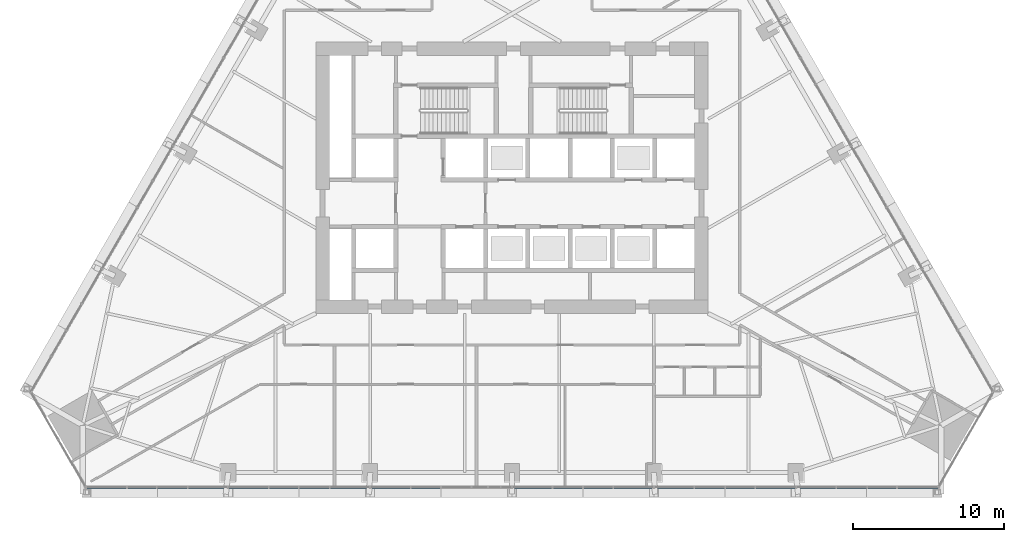
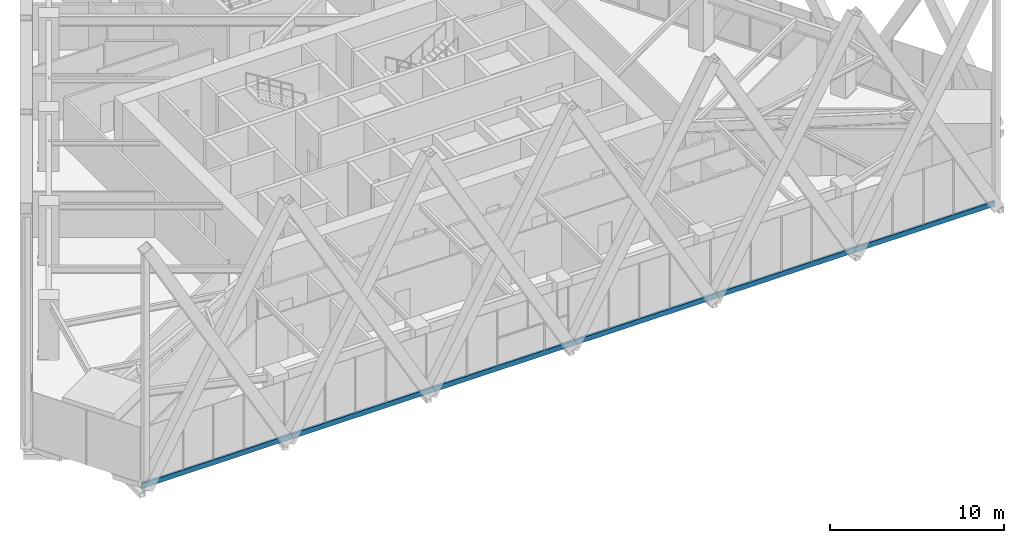
# One storey, part 6 of 21: 1 member, 1 element without a shape of its own.
"""IFC4 building model written with IfcOpenShell, lengths in metres."""

import ifcopenshell
import ifcopenshell.guid

model = None  # the IFC model being written
_history = None  # IfcOwnerHistory: only IFC2X3 demands one
_inside = {}  # id of a spatial element -> (the spatial element, [elements in it])
_under = {}  # id of a project, library or spatial element -> (it, [spatial elements below it])
_declared = {}  # id of a project -> (the project, [libraries it declares])
_typed = {}  # id of a type object -> (the type object, [elements of that type])
_made_of = {}  # id of a material, layer set ... -> (it, [elements and type objects made of it])


def new_model(schema):
    """Start an empty IFC model of exactly this schema.

    Asked for "IFC4X3", IfcOpenShell would pick the latest addendum, in which some entities
    have other attributes; the version numbers below select the first issue.
    IFC2X3 requires an IfcOwnerHistory on every rooted entity: one is made here for all.
    """
    global model, _history
    if schema == "IFC4X3":
        model = ifcopenshell.file(schema_version=(4, 3, 0, 0))
    else:
        model = ifcopenshell.file(schema=schema)
    _inside.clear()
    _under.clear()
    _declared.clear()
    _typed.clear()
    _made_of.clear()
    _history = None
    if model.schema == "IFC2X3":
        org = make("IfcOrganization", Name="unknown")
        user = make(
            "IfcPersonAndOrganization",
            ThePerson=make("IfcPerson", FamilyName="unknown"),
            TheOrganization=org,
        )
        app = make(
            "IfcApplication",
            ApplicationDeveloper=org,
            Version="unknown",
            ApplicationFullName="unknown",
            ApplicationIdentifier="unknown",
        )
        _history = make(
            "IfcOwnerHistory",
            OwningUser=user,
            OwningApplication=app,
            ChangeAction="ADDED",
            CreationDate=0,
        )
    return model


def make(cls, **values):
    """One entity of the class cls with the attributes given. An attribute that is None is left unset."""
    return model.create_entity(
        cls, **{name: value for name, value in values.items() if value is not None}
    )


def rooted(cls, **values):
    """An entity with a GlobalId (a new one), such as an element, a storey or a relation."""
    return make(cls, GlobalId=ifcopenshell.guid.new(), OwnerHistory=_history, **values)


def si_unit(unit_type, name, prefix=None):
    """IfcSIUnit, for example si_unit("LENGTHUNIT", "METRE", prefix="MILLI")."""
    return make("IfcSIUnit", UnitType=unit_type, Prefix=prefix, Name=name)


def assignment(units):
    """IfcUnitAssignment: the units of a project."""
    return None if units is None else make("IfcUnitAssignment", Units=units)


def point(xyz):
    """IfcCartesianPoint."""
    return None if xyz is None else make("IfcCartesianPoint", Coordinates=xyz)


def direction(xyz):
    """IfcDirection."""
    return None if xyz is None else make("IfcDirection", DirectionRatios=xyz)


def frame(location, z_axis=None, x_axis=None):
    """IfcAxis2Placement3D, a coordinate frame: its origin and axes. An axis left out is left unset."""
    return make(
        "IfcAxis2Placement3D",
        Location=point(location),
        Axis=direction(z_axis),
        RefDirection=direction(x_axis),
    )


def frame_2d(location, x_axis=None):
    """IfcAxis2Placement2D, a coordinate frame in the plane: its origin and x axis."""
    return make(
        "IfcAxis2Placement2D", Location=point(location), RefDirection=direction(x_axis)
    )


def origin():
    """The frame at (0, 0, 0) with its axes left unset."""
    return frame((0.0, 0.0, 0.0))


def origin_2d():
    """The frame at (0, 0) in the plane with its x axis left unset."""
    return frame_2d((0.0, 0.0))


def place(relative_to, where):
    """IfcLocalPlacement: puts the frame where relative to a parent placement (None: the world)."""
    return make(
        "IfcLocalPlacement", PlacementRelTo=relative_to, RelativePlacement=where
    )


def context(
    kind, dimensions, precision=None, world=None, true_north=None, identifier=None
):
    """IfcGeometricRepresentationContext, for example the 3D "Model" context."""
    return make(
        "IfcGeometricRepresentationContext",
        ContextIdentifier=identifier,
        ContextType=kind,
        CoordinateSpaceDimension=dimensions,
        Precision=precision,
        WorldCoordinateSystem=world,
        TrueNorth=true_north,
    )


def subcontext(parent, identifier, kind, view, scale=None):
    """IfcGeometricRepresentationSubContext, for example "Body" below "Model"."""
    return make(
        "IfcGeometricRepresentationSubContext",
        ContextIdentifier=identifier,
        ContextType=kind,
        ParentContext=parent,
        TargetScale=scale,
        TargetView=view,
    )


def project(units=None, contexts=None):
    """IfcProject with its units and contexts."""
    return rooted(
        "IfcProject",
        Name="project",
        RepresentationContexts=contexts,
        UnitsInContext=assignment(units),
    )


def spatial(cls, under=None, at=None, **own):
    """A site, building, storey or space (cls), placed at a placement, below another one or the project."""
    s = rooted(cls, ObjectPlacement=at, **own)
    if under is not None:
        _under.setdefault(under.id(), (under, []))[1].append(s)
    return s


def profile(cls, at=None, kind="AREA", **sizes):
    """A parametric profile (cls). Its sizes go by their IFC names, for example OverallWidth=200.0."""
    return make(cls, ProfileType=kind, Position=at, **sizes)


def rectangle(**sizes):
    """IfcRectangleProfileDef."""
    return profile("IfcRectangleProfileDef", **sizes)


def extrude(swept, where, along, depth):
    """IfcExtrudedAreaSolid: the profile swept, set in the frame where, extruded along a direction by depth."""
    return make(
        "IfcExtrudedAreaSolid",
        SweptArea=swept,
        Position=where,
        ExtrudedDirection=direction(along),
        Depth=depth,
    )


def shape(context_of_items, identifier, shape_type, items):
    """IfcShapeRepresentation: the items that make up one representation, for example the "Body"."""
    return make(
        "IfcShapeRepresentation",
        ContextOfItems=context_of_items,
        RepresentationIdentifier=identifier,
        RepresentationType=shape_type,
        Items=items,
    )


def material(Name=None, Category=None):
    """IfcMaterial."""
    return make("IfcMaterial", Name=Name, Category=Category)


def layer(
    of_material, thickness, ventilated=None, Name=None, Category=None, Priority=None
):
    """IfcMaterialLayer: one layer of a wall or slab, of a material (None: an air gap)."""
    return make(
        "IfcMaterialLayer",
        Material=of_material,
        LayerThickness=thickness,
        IsVentilated=ventilated,
        Name=Name,
        Category=Category,
        Priority=Priority,
    )


def layer_set(layers, Name=None):
    """IfcMaterialLayerSet."""
    return make("IfcMaterialLayerSet", MaterialLayers=layers, LayerSetName=Name)


def material_profile(
    of_material, cross_section, Name=None, Category=None, Priority=None
):
    """IfcMaterialProfile: a cross section and its material."""
    return make(
        "IfcMaterialProfile",
        Name=Name,
        Material=of_material,
        Profile=cross_section,
        Priority=Priority,
        Category=Category,
    )


def profile_set(profiles, Name=None, composite=None):
    """IfcMaterialProfileSet."""
    return make(
        "IfcMaterialProfileSet",
        Name=Name,
        MaterialProfiles=profiles,
        CompositeProfile=composite,
    )


def made_of(thing, what):
    """Note that an element or type object is made of a material, layer set ...; save() writes the relation."""
    if what is not None:
        _made_of.setdefault(what.id(), (what, []))[1].append(thing)
    return thing


def type_object(cls, material=None, **own):
    """A type object (cls), such as IfcWallType, which elements share."""
    return made_of(rooted(cls, **own), material)


def element(
    cls,
    number,
    at=None,
    inside=None,
    cuts=None,
    type_object=None,
    material=None,
    context=None,
    identifier="Body",
    shape_type=None,
    held_by="IfcProductDefinitionShape",
    body=None,
    shapes=None,
    **own,
):
    """One element of the class cls, such as IfcWall. Its Tag is "e" and its number.

    at: its placement. inside: the storey or other place that contains it. cuts: it is an
    opening in that element (IfcRelVoidsElement). A single representation is given by context,
    identifier, shape_type and body (its items); several are given by shapes. held_by: the class
    of the entity that holds the representations. save() writes the other relations.
    """
    e = rooted(cls, Tag="e%d" % number, ObjectPlacement=at, **own)
    if body is not None:
        shapes = [shape(context, identifier, shape_type, body)]
    if shapes is not None:
        e.Representation = make(held_by, Representations=shapes)
    if inside is not None:
        _inside.setdefault(inside.id(), (inside, []))[1].append(e)
    if cuts is not None:
        rooted(
            "IfcRelVoidsElement", RelatingBuildingElement=cuts, RelatedOpeningElement=e
        )
    if type_object is not None:
        _typed.setdefault(type_object.id(), (type_object, []))[1].append(e)
    return made_of(e, material)


def aggregate(whole, parts):
    """IfcRelAggregates: a whole, such as a stair, and the parts it consists of."""
    return rooted("IfcRelAggregates", RelatingObject=whole, RelatedObjects=parts)


def save(model, path):
    """Write the relations noted so far, then the file.

    IfcRelAggregates (storeys below a building ...), IfcRelContainedInSpatialStructure (elements
    in a storey), IfcRelDefinesByType, IfcRelAssociatesMaterial and IfcRelDeclares: one each for
    every whole, place, type object, material and project.
    """
    for whole, parts in _under.values():
        aggregate(whole, parts)
    for where, things in _inside.values():
        rooted(
            "IfcRelContainedInSpatialStructure",
            RelatedElements=things,
            RelatingStructure=where,
        )
    for kind, things in _typed.values():
        rooted("IfcRelDefinesByType", RelatedObjects=things, RelatingType=kind)
    for what, things in _made_of.values():
        rooted("IfcRelAssociatesMaterial", RelatedObjects=things, RelatingMaterial=what)
    for by, libraries in _declared.values():
        rooted("IfcRelDeclares", RelatingContext=by, RelatedDefinitions=libraries)
    model.write(path)


model = new_model("IFC4")

# Units and contexts
model_context = context("Model", 3, precision=1e-05, world=origin(), true_north=direction((0.0, 1.0)))
body_context = subcontext(model_context, "Body", "Model", "MODEL_VIEW")
ifc_project = project(units=[si_unit("LENGTHUNIT", "METRE"), si_unit("AREAUNIT", "SQUARE_METRE"), si_unit("VOLUMEUNIT", "CUBIC_METRE"), si_unit("PLANEANGLEUNIT", "RADIAN"), si_unit("MASSUNIT", "GRAM", prefix="KILO")], contexts=[model_context])

# Site, building, storey
site_placement = place(None, origin())
site = spatial("IfcSite", under=ifc_project, at=site_placement, CompositionType="ELEMENT")
building_placement = place(site_placement, origin())
building = spatial("IfcBuilding", under=site, at=building_placement, Name="Firuza Gate Tower and Library", CompositionType="ELEMENT")
storey_placement = place(building_placement, frame((0.0, 0.0, 90.39990234375)))
storey = spatial("IfcBuildingStorey", under=building, at=storey_placement, Name="L20", CompositionType="ELEMENT", Elevation=90.39990234375)

# Curtain wall, member
ifc_material_1 = material(Name="Aluminium 6063-T6", Category="aluminium")
ifc_layer = layer(ifc_material_1, 0.14990234375)
ifc_layer_set = layer_set([ifc_layer], Name="Unitised curtain wall, offices")
curtain_wall_type = type_object("IfcCurtainWallType", Name="Unitised curtain wall, offices", PredefinedType="NOTDEFINED", material=ifc_layer_set)
curtain_wall_placement = place(storey_placement, origin())
curtain_wall = element("IfcCurtainWall", 1, at=curtain_wall_placement, inside=storey, type_object=curtain_wall_type, Name="CW1 L20 S face", PredefinedType="NOTDEFINED")
ifc_material_2 = material(Name="Aluminium 6063-T6", Category="aluminium")
ifc_material_profile = material_profile(ifc_material_2, rectangle(XDim=0.14990234375, YDim=0.35009765625, at=origin_2d()))
ifc_profile_set = profile_set([ifc_material_profile], Name="Aluminium 6063-T6")
member_type = type_object("IfcMemberType", Name="Curtain wall transom 350x150", PredefinedType="USERDEFINED", material=ifc_profile_set)
member_placement = place(storey_placement, frame((46.74658203125, 54.48095703125, -0.02490234375), z_axis=(1.0, 0.0, 0.0), x_axis=(0.0, 1.0, 0.0)))
member = element("IfcMember", 2, at=member_placement, type_object=member_type, Name="Transom", ObjectType="TRANSOM", PredefinedType="USERDEFINED", context=body_context, shape_type="SweptSolid", body=[
    extrude(rectangle(XDim=0.14990234375, YDim=0.35009765625, at=origin_2d()), origin(), (0.0, 0.0, 1.0), 56.5068359375),
])
aggregate(curtain_wall, [member])

save(model, "model.ifc")
